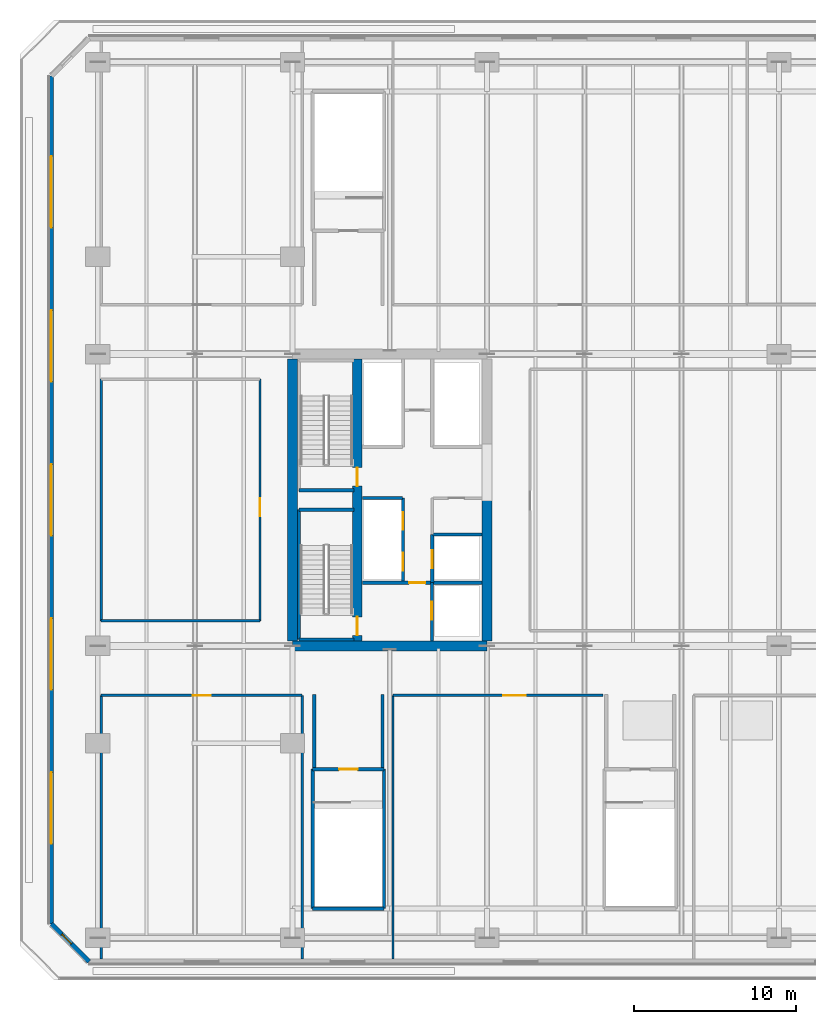
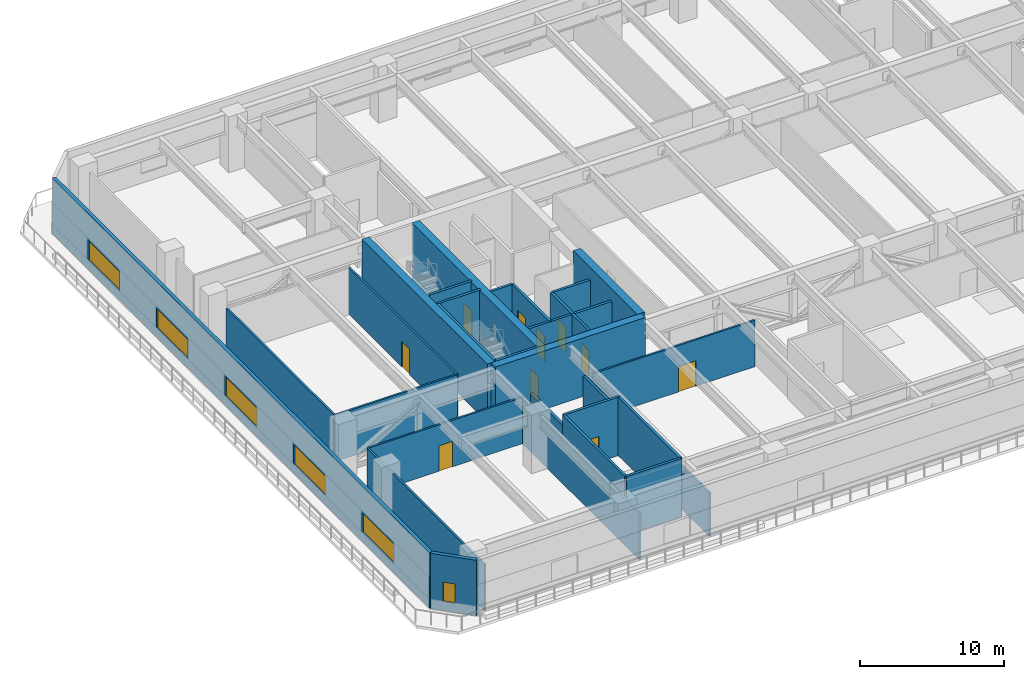
# One storey, part 9 of 25: 30 walls, 11 doors, 6 windows, 17 openings.
"""IFC4 building model written with IfcOpenShell, lengths in metres."""

from ifc_helpers import new_model, si_unit, direction, frame, frame_2d, origin, place, context, subcontext, project, spatial, rectangle, extrude, material, layer, layer_set, type_object, element, fill, save


model = new_model("IFC4")

# Units and contexts
model_context = context("Model", 3, precision=1e-05, world=origin(), true_north=direction((0.0, 1.0)))
body_context = subcontext(model_context, "Body", "Model", "MODEL_VIEW")
ifc_project = project(units=[si_unit("LENGTHUNIT", "METRE"), si_unit("AREAUNIT", "SQUARE_METRE"), si_unit("VOLUMEUNIT", "CUBIC_METRE"), si_unit("PLANEANGLEUNIT", "RADIAN"), si_unit("MASSUNIT", "GRAM", prefix="KILO")], contexts=[model_context])

# Site, building, storey
site_placement = place(None, origin())
site = spatial("IfcSite", under=ifc_project, at=site_placement, CompositionType="ELEMENT")
building_placement = place(site_placement, origin())
building = spatial("IfcBuilding", under=site, at=building_placement, Name="Tanjung Sevakor Pilgrim Tower", CompositionType="ELEMENT")
storey_placement = place(building_placement, frame((0.0, 0.0, 24.090087890625)))
storey = spatial("IfcBuildingStorey", under=building, at=storey_placement, Name="L06", CompositionType="ELEMENT", Elevation=24.090087890625)

# Walls
ifc_material_1 = material(Name="Concrete C60/75", Category="concrete")
ifc_layer_1 = layer(ifc_material_1, 0.60009765625)
ifc_layer_set_1 = layer_set([ifc_layer_1], Name="WALL-CW-600")
wall_type_1 = type_object("IfcWallType", Name="WALL-CW-600", PredefinedType="SHEAR", material=ifc_layer_set_1)
wall_1_placement = place(storey_placement, frame((24.0, 24.60009765625, 0.0), z_axis=(0.0, 0.0, 1.0), x_axis=(1.0, 0.0, 0.0)))
element("IfcWall", 1, at=wall_1_placement, inside=storey, type_object=wall_type_1, Name="L06 W Core South Shear Wall", PredefinedType="SHEAR", context=body_context, shape_type="SweptSolid", body=[
    extrude(rectangle(XDim=12.0, YDim=0.60009765625, at=frame_2d((6.0, 0.0))), origin(), (0.0, 0.0, 1.0), 4.949951171875),
])
wall_2_placement = place(storey_placement, frame((24.0, 24.89990234375, 0.0), z_axis=(0.0, 0.0, 1.0), x_axis=(0.0, 1.0, 0.0)))
element("IfcWall", 2, at=wall_2_placement, inside=storey, type_object=wall_type_1, Name="L06 W Core Outer Shear Wall", PredefinedType="SHEAR", context=body_context, shape_type="SweptSolid", body=[
    extrude(rectangle(XDim=17.400146484375, YDim=0.60009765625, at=frame_2d((8.7001953125, 0.0))), origin(), (0.0, 0.0, 1.0), 4.949951171875),
])
wall_3_placement = place(storey_placement, frame((36.0, 24.89990234375, 0.0), z_axis=(0.0, 0.0, 1.0), x_axis=(0.0, 1.0, 0.0)))
element("IfcWall", 3, at=wall_3_placement, inside=storey, type_object=wall_type_1, Name="L06 W Core Inner Shear Wall South", PredefinedType="SHEAR", context=body_context, shape_type="SweptSolid", body=[
    extrude(rectangle(XDim=8.900146484375, YDim=0.60009765625, at=frame_2d((4.4501953125, 0.0))), origin(), (0.0, 0.0, 1.0), 4.949951171875),
])

# Wall, openings, doors
wall_4_placement = place(storey_placement, frame((28.0, 24.89990234375, 0.0), z_axis=(0.0, 0.0, 1.0), x_axis=(0.0, 1.0, 0.0)))
wall_4 = element("IfcWall", 4, at=wall_4_placement, inside=storey, type_object=wall_type_1, Name="L06 W Core Stair Spine Wall", PredefinedType="SHEAR", context=body_context, shape_type="SweptSolid", body=[
    extrude(rectangle(XDim=17.400146484375, YDim=0.60009765625, at=frame_2d((8.7001953125, 0.0))), origin(), (0.0, 0.0, 1.0), 4.949951171875),
])
opening_1_placement = place(wall_4_placement, frame((0.35009765625, 0.0, 0.0)))
opening_1 = element("IfcOpeningElement", 5, at=opening_1_placement, cuts=wall_4, Name="Opening ID-ST1", PredefinedType="OPENING", context=body_context, shape_type="SweptSolid", body=[
    extrude(rectangle(XDim=1.14990234375, YDim=2.14990234375, at=frame_2d((0.574951171875, 1.074951171875))), frame((0.0, 0.31005859375, 0.0), z_axis=(0.0, -1.0, 0.0), x_axis=(1.0, 0.0, 0.0)), (0.0, 0.0, 1.0), 0.6201171875),
])
opening_2_placement = place(wall_4_placement, frame((9.550048828125, 0.0, 0.0)))
opening_2 = element("IfcOpeningElement", 6, at=opening_2_placement, cuts=wall_4, Name="Opening ID-ST1", PredefinedType="OPENING", context=body_context, shape_type="SweptSolid", body=[
    extrude(rectangle(XDim=1.14990234375, YDim=2.14990234375, at=frame_2d((0.574951171875, 1.074951171875))), frame((0.0, 0.31005859375, 0.0), z_axis=(0.0, -1.0, 0.0), x_axis=(1.0, 0.0, 0.0)), (0.0, 0.0, 1.0), 0.6201171875),
])
ifc_material_2 = material(Name="Fire-Rated Steel S355J2", Category="steel")
door_type_1 = type_object("IfcDoorType", Name="DT-FIRE-1150", OperationType="NOTDEFINED", PredefinedType="DOOR", material=ifc_material_2)
door_1_placement = place(opening_1_placement, origin())
door_1 = element("IfcDoor", 7, at=door_1_placement, inside=storey, type_object=door_type_1, Name="L06 TS-W1 Stair Fire Door", OperationType="SINGLE_SWING_RIGHT", OverallHeight=2.14990234375, OverallWidth=1.14990234375, PredefinedType="DOOR", context=body_context, shape_type="SweptSolid", body=[
    extrude(rectangle(XDim=1.14990234375, YDim=2.14990234375, at=frame_2d((0.574951171875, 1.074951171875))), frame((0.0, 0.02490234375, 0.0), z_axis=(0.0, -1.0, 0.0), x_axis=(1.0, 0.0, 0.0)), (0.0, 0.0, 1.0), 0.050048828125),
])
fill(opening_1, door_1)
door_2_placement = place(opening_2_placement, origin())
door_2 = element("IfcDoor", 8, at=door_2_placement, inside=storey, type_object=door_type_1, Name="L06 TS-W2 Stair Fire Door", OperationType="SINGLE_SWING_LEFT", OverallHeight=2.14990234375, OverallWidth=1.14990234375, PredefinedType="DOOR", context=body_context, shape_type="SweptSolid", body=[
    extrude(rectangle(XDim=1.14990234375, YDim=2.14990234375, at=frame_2d((0.574951171875, 1.074951171875))), frame((0.0, 0.02490234375, 0.0), z_axis=(0.0, -1.0, 0.0), x_axis=(1.0, 0.0, 0.0)), (0.0, 0.0, 1.0), 0.050048828125),
])
fill(opening_2, door_2)

# Wall, opening, door
ifc_material_3 = material(Name="Concrete C40/50", Category="concrete")
ifc_layer_2 = layer(ifc_material_3, 0.14990234375)
ifc_layer_set_2 = layer_set([ifc_layer_2], Name="WT-COMP-150")
wall_type_2 = type_object("IfcWallType", Name="WT-COMP-150", PredefinedType="SOLIDWALL", material=ifc_layer_set_2)
wall_5_placement = place(storey_placement, frame((30.199951171875, 21.550048828125, 0.0), z_axis=(0.0, 0.0, 1.0), x_axis=(1.0, 0.0, 0.0)))
wall_5 = element("IfcWall", 9, at=wall_5_placement, inside=storey, type_object=wall_type_2, Name="L06 Partition IW-L06-039", PredefinedType="SOLIDWALL", context=body_context, shape_type="SweptSolid", body=[
    extrude(rectangle(XDim=12.949951171875, YDim=0.14990234375, at=frame_2d((6.47509765625, 0.0))), origin(), (0.0, 0.0, 1.0), 3.929931640625),
])
opening_3_placement = place(wall_5_placement, frame((6.800048828125, 0.0, 0.0)))
opening_3 = element("IfcOpeningElement", 10, at=opening_3_placement, cuts=wall_5, Name="Opening ID-HD1", PredefinedType="OPENING", context=body_context, shape_type="SweptSolid", body=[
    extrude(rectangle(XDim=1.39990234375, YDim=2.14990234375, at=frame_2d((0.699951171875, 1.074951171875))), frame((0.0, 0.0849609375, 0.0), z_axis=(0.0, -1.0, 0.0), x_axis=(1.0, 0.0, 0.0)), (0.0, 0.0, 1.0), 0.169921875),
])
ifc_material_4 = material(Name="Hardwood Timber", Category="wood")
door_type_2 = type_object("IfcDoorType", Name="DT-INT-1400", OperationType="DOUBLE_DOOR_SINGLE_SWING", PredefinedType="DOOR", material=ifc_material_4)
door_3_placement = place(opening_3_placement, origin())
door_3 = element("IfcDoor", 11, at=door_3_placement, inside=storey, type_object=door_type_2, Name="L06 Wellness Lounge Door", OperationType="SINGLE_SWING_RIGHT", OverallHeight=2.14990234375, OverallWidth=1.39990234375, PredefinedType="DOOR", context=body_context, shape_type="SweptSolid", body=[
    extrude(rectangle(XDim=1.39990234375, YDim=2.14990234375, at=frame_2d((0.699951171875, 1.074951171875))), frame((0.0, 0.02490234375, 0.0), z_axis=(0.0, -1.0, 0.0), x_axis=(1.0, 0.0, 0.0)), (0.0, 0.0, 1.0), 0.050048828125),
])
fill(opening_3, door_3)

# Walls
wall_6_placement = place(storey_placement, frame((30.199951171875, 5.280029296875, 0.0), z_axis=(0.0, 0.0, 1.0), x_axis=(0.0, 1.0, 0.0)))
element("IfcWall", 12, at=wall_6_placement, inside=storey, type_object=wall_type_2, Name="L06 Partition IW-L06-040", PredefinedType="SOLIDWALL", context=body_context, shape_type="SweptSolid", body=[
    extrude(rectangle(XDim=16.27001953125, YDim=0.14990234375, at=frame_2d((8.135009765625, 0.0))), origin(), (0.0, 0.0, 1.0), 3.68701171875),
])
wall_7_placement = place(storey_placement, frame((12.199951171875, 26.14990234375, 0.0), z_axis=(0.0, 0.0, 1.0), x_axis=(1.0, 0.0, 0.0)))
element("IfcWall", 13, at=wall_7_placement, inside=storey, type_object=wall_type_2, Name="L06 Partition IW-L06-061", PredefinedType="SOLIDWALL", context=body_context, shape_type="SweptSolid", body=[
    extrude(rectangle(XDim=9.800048828125, YDim=0.14990234375, at=frame_2d((4.89990234375, 0.0))), origin(), (0.0, 0.0, 1.0), 3.929931640625),
])
wall_8_placement = place(storey_placement, frame((12.199951171875, 26.14990234375, 0.0), z_axis=(0.0, 0.0, 1.0), x_axis=(0.0, 1.0, 0.0)))
element("IfcWall", 14, at=wall_8_placement, inside=storey, type_object=wall_type_2, Name="L06 Partition IW-L06-063", PredefinedType="SOLIDWALL", context=body_context, shape_type="SweptSolid", body=[
    extrude(rectangle(XDim=14.900146484375, YDim=0.14990234375, at=frame_2d((7.4501953125, 0.0))), origin(), (0.0, 0.0, 1.0), 3.929931640625),
])

# Wall, opening, door
wall_9_placement = place(storey_placement, frame((22.0, 26.14990234375, 0.0), z_axis=(0.0, 0.0, 1.0), x_axis=(0.0, 1.0, 0.0)))
wall_9 = element("IfcWall", 15, at=wall_9_placement, inside=storey, type_object=wall_type_2, Name="L06 Partition IW-L06-064", PredefinedType="SOLIDWALL", context=body_context, shape_type="SweptSolid", body=[
    extrude(rectangle(XDim=14.900146484375, YDim=0.14990234375, at=frame_2d((7.4501953125, 0.0))), origin(), (0.0, 0.0, 1.0), 3.929931640625),
])
opening_4_placement = place(wall_9_placement, frame((6.449951171875, 0.0, 0.0)))
opening_4 = element("IfcOpeningElement", 16, at=opening_4_placement, cuts=wall_9, Name="Opening ID-RM2", PredefinedType="OPENING", context=body_context, shape_type="SweptSolid", body=[
    extrude(rectangle(XDim=1.10009765625, YDim=2.14990234375, at=frame_2d((0.550048828125, 1.074951171875))), frame((0.0, 0.0849609375, 0.0), z_axis=(0.0, -1.0, 0.0), x_axis=(1.0, 0.0, 0.0)), (0.0, 0.0, 1.0), 0.169921875),
])
ifc_material_5 = material(Name="Hardwood Timber", Category="wood")
door_type_3 = type_object("IfcDoorType", Name="DT-INT-1100", OperationType="NOTDEFINED", PredefinedType="DOOR", material=ifc_material_5)
door_4_placement = place(opening_4_placement, origin())
door_4 = element("IfcDoor", 17, at=door_4_placement, inside=storey, type_object=door_type_3, Name="L06 West Lounge Door", OperationType="SINGLE_SWING_RIGHT", OverallHeight=2.14990234375, OverallWidth=1.10009765625, PredefinedType="DOOR", context=body_context, shape_type="SweptSolid", body=[
    extrude(rectangle(XDim=1.10009765625, YDim=2.14990234375, at=frame_2d((0.550048828125, 1.074951171875))), frame((0.0, 0.02490234375, 0.0), z_axis=(0.0, -1.0, 0.0), x_axis=(1.0, 0.0, 0.0)), (0.0, 0.0, 1.0), 0.050048828125),
])
fill(opening_4, door_4)

wall_10_placement = place(storey_placement, frame((12.199951171875, 21.550048828125, 0.0), z_axis=(0.0, 0.0, 1.0), x_axis=(1.0, 0.0, 0.0)))
wall_10 = element("IfcWall", 18, at=wall_10_placement, inside=storey, type_object=wall_type_2, Name="L06 Partition IW-L06-069", PredefinedType="SOLIDWALL", context=body_context, shape_type="SweptSolid", body=[
    extrude(rectangle(XDim=12.400146484375, YDim=0.14990234375, at=frame_2d((6.2001953125, 0.0))), origin(), (0.0, 0.0, 1.0), 3.929931640625),
])
opening_5_placement = place(wall_10_placement, frame((5.64990234375, 0.0, 0.0)))
opening_5 = element("IfcOpeningElement", 19, at=opening_5_placement, cuts=wall_10, Name="Opening ID-RM2", PredefinedType="OPENING", context=body_context, shape_type="SweptSolid", body=[
    extrude(rectangle(XDim=1.10009765625, YDim=2.14990234375, at=frame_2d((0.550048828125, 1.074951171875))), frame((0.0, 0.0849609375, 0.0), z_axis=(0.0, -1.0, 0.0), x_axis=(1.0, 0.0, 0.0)), (0.0, 0.0, 1.0), 0.169921875),
])
door_5_placement = place(opening_5_placement, origin())
door_5 = element("IfcDoor", 20, at=door_5_placement, inside=storey, type_object=door_type_3, Name="L06 SW Library Door", OperationType="SINGLE_SWING_RIGHT", OverallHeight=2.14990234375, OverallWidth=1.10009765625, PredefinedType="DOOR", context=body_context, shape_type="SweptSolid", body=[
    extrude(rectangle(XDim=1.10009765625, YDim=2.14990234375, at=frame_2d((0.550048828125, 1.074951171875))), frame((0.0, 0.02490234375, 0.0), z_axis=(0.0, -1.0, 0.0), x_axis=(1.0, 0.0, 0.0)), (0.0, 0.0, 1.0), 0.050048828125),
])
fill(opening_5, door_5)

# Walls
for number, where, z_axis, x_axis, name in (
    (21, (12.199951171875, 5.280029296875, 0.0), (0.0, 0.0, 1.0), (0.0, 1.0, 0.0), "L06 Partition IW-L06-070"),
    (22, (24.60009765625, 5.280029296875, 0.0), (0.0, 0.0, 1.0), (0.0, 1.0, 0.0), "L06 Partition IW-L06-071"),
):
    element("IfcWall", number, at=place(storey_placement, frame(where, z_axis=z_axis, x_axis=x_axis)), inside=storey, type_object=wall_type_2, Name=name, PredefinedType="SOLIDWALL", context=body_context, shape_type="SweptSolid", body=[
        extrude(rectangle(XDim=16.27001953125, YDim=0.14990234375, at=frame_2d((8.135009765625, 0.0))), origin(), (0.0, 0.0, 1.0), 3.929931640625),
    ])

# Wall, openings, windows
ifc_material_6 = material(Name="Precast concrete C45/55", Category="concrete")
ifc_layer_3 = layer(ifc_material_6, 0.280029296875)
ifc_layer_set_3 = layer_set([ifc_layer_3], Name="WT-EW-STN2")
wall_type_3 = type_object("IfcWallType", Name="WT-EW-STN2", PredefinedType="SOLIDWALL", material=ifc_layer_set_3)
wall_11_placement = place(storey_placement, frame((9.139892578125, 59.741943359375, 0.0), z_axis=(0.0, 0.0, 1.0), x_axis=(0.0, -1.0, 0.0)))
wall_11 = element("IfcWall", 23, at=wall_11_placement, inside=storey, type_object=wall_type_3, Name="L06 MAIN Exterior Wall 7", PredefinedType="SOLIDWALL", context=body_context, shape_type="SweptSolid", body=[
    extrude(rectangle(XDim=52.283935546875, YDim=0.280029296875, at=frame_2d((26.14208984375, 0.0))), origin(), (0.0, 0.0, 1.0), 4.7099609375),
])
opening_6_placement = place(wall_11_placement, frame((23.94189453125, 0.0, 0.780029296875)))
opening_6 = element("IfcOpeningElement", 24, at=opening_6_placement, cuts=wall_11, Name="Opening WN-ENDW-1660", PredefinedType="OPENING", context=body_context, shape_type="SweptSolid", body=[
    extrude(rectangle(XDim=4.39990234375, YDim=1.659912109375, at=frame_2d((2.199951171875, 0.830078125))), frame((0.0, 0.14990234375, 0.0), z_axis=(0.0, -1.0, 0.0), x_axis=(1.0, 0.0, 0.0)), (0.0, 0.0, 1.0), 0.300048828125),
])
opening_7_placement = place(wall_11_placement, frame((4.94189453125, 0.0, 0.780029296875)))
opening_7 = element("IfcOpeningElement", 25, at=opening_7_placement, cuts=wall_11, Name="Opening WN-ENDW-1660", PredefinedType="OPENING", context=body_context, shape_type="SweptSolid", body=[
    extrude(rectangle(XDim=4.39990234375, YDim=1.659912109375, at=frame_2d((2.199951171875, 0.830078125))), frame((0.0, 0.14990234375, 0.0), z_axis=(0.0, -1.0, 0.0), x_axis=(1.0, 0.0, 0.0)), (0.0, 0.0, 1.0), 0.300048828125),
])
opening_8_placement = place(wall_11_placement, frame((14.44189453125, 0.0, 0.780029296875)))
opening_8 = element("IfcOpeningElement", 26, at=opening_8_placement, cuts=wall_11, Name="Opening WN-ENDW-1660", PredefinedType="OPENING", context=body_context, shape_type="SweptSolid", body=[
    extrude(rectangle(XDim=4.39990234375, YDim=1.659912109375, at=frame_2d((2.199951171875, 0.830078125))), frame((0.0, 0.14990234375, 0.0), z_axis=(0.0, -1.0, 0.0), x_axis=(1.0, 0.0, 0.0)), (0.0, 0.0, 1.0), 0.300048828125),
])
opening_9_placement = place(wall_11_placement, frame((33.44189453125, 0.0, 0.780029296875)))
opening_9 = element("IfcOpeningElement", 27, at=opening_9_placement, cuts=wall_11, Name="Opening WN-ENDW-1660", PredefinedType="OPENING", context=body_context, shape_type="SweptSolid", body=[
    extrude(rectangle(XDim=4.39990234375, YDim=1.659912109375, at=frame_2d((2.199951171875, 0.830078125))), frame((0.0, 0.14990234375, 0.0), z_axis=(0.0, -1.0, 0.0), x_axis=(1.0, 0.0, 0.0)), (0.0, 0.0, 1.0), 0.300048828125),
])
opening_10_placement = place(wall_11_placement, frame((42.94189453125, 0.0, 0.780029296875)))
opening_10 = element("IfcOpeningElement", 28, at=opening_10_placement, cuts=wall_11, Name="Opening WN-ENDW-1660", PredefinedType="OPENING", context=body_context, shape_type="SweptSolid", body=[
    extrude(rectangle(XDim=4.39990234375, YDim=1.659912109375, at=frame_2d((2.199951171875, 0.830078125))), frame((0.0, 0.14990234375, 0.0), z_axis=(0.0, -1.0, 0.0), x_axis=(1.0, 0.0, 0.0)), (0.0, 0.0, 1.0), 0.300048828125),
])
ifc_material_7 = material(Name="Thermally Broken Aluminium and Low-E Glass", Category="aluminium")
window_type_1 = type_object("IfcWindowType", Name="WTYP-WN-ENDW-1660", PartitioningType="DOUBLE_PANEL_VERTICAL", PredefinedType="WINDOW", material=ifc_material_7)
window_1_placement = place(opening_6_placement, origin())
window_1 = element("IfcWindow", 29, at=window_1_placement, inside=storey, type_object=window_type_1, Name="L06 Facade Window 01", OverallHeight=1.659912109375, OverallWidth=4.39990234375, PartitioningType="SINGLE_PANEL", PredefinedType="WINDOW", context=body_context, shape_type="SweptSolid", body=[
    extrude(rectangle(XDim=4.39990234375, YDim=1.659912109375, at=frame_2d((2.199951171875, 0.830078125))), frame((0.0, 0.030029296875, 0.0), z_axis=(0.0, -1.0, 0.0), x_axis=(1.0, 0.0, 0.0)), (0.0, 0.0, 1.0), 0.06005859375),
])
fill(opening_6, window_1)
window_2_placement = place(opening_7_placement, origin())
window_2 = element("IfcWindow", 30, at=window_2_placement, inside=storey, type_object=window_type_1, Name="L06 Facade Window 02", OverallHeight=1.659912109375, OverallWidth=4.39990234375, PartitioningType="SINGLE_PANEL", PredefinedType="WINDOW", context=body_context, shape_type="SweptSolid", body=[
    extrude(rectangle(XDim=4.39990234375, YDim=1.659912109375, at=frame_2d((2.199951171875, 0.830078125))), frame((0.0, 0.030029296875, 0.0), z_axis=(0.0, -1.0, 0.0), x_axis=(1.0, 0.0, 0.0)), (0.0, 0.0, 1.0), 0.06005859375),
])
fill(opening_7, window_2)
window_3_placement = place(opening_8_placement, origin())
window_3 = element("IfcWindow", 31, at=window_3_placement, inside=storey, type_object=window_type_1, Name="L06 Facade Window 03", OverallHeight=1.659912109375, OverallWidth=4.39990234375, PartitioningType="SINGLE_PANEL", PredefinedType="WINDOW", context=body_context, shape_type="SweptSolid", body=[
    extrude(rectangle(XDim=4.39990234375, YDim=1.659912109375, at=frame_2d((2.199951171875, 0.830078125))), frame((0.0, 0.030029296875, 0.0), z_axis=(0.0, -1.0, 0.0), x_axis=(1.0, 0.0, 0.0)), (0.0, 0.0, 1.0), 0.06005859375),
])
fill(opening_8, window_3)
window_4_placement = place(opening_9_placement, origin())
window_4 = element("IfcWindow", 32, at=window_4_placement, inside=storey, type_object=window_type_1, Name="L06 Facade Window 04", OverallHeight=1.659912109375, OverallWidth=4.39990234375, PartitioningType="SINGLE_PANEL", PredefinedType="WINDOW", context=body_context, shape_type="SweptSolid", body=[
    extrude(rectangle(XDim=4.39990234375, YDim=1.659912109375, at=frame_2d((2.199951171875, 0.830078125))), frame((0.0, 0.030029296875, 0.0), z_axis=(0.0, -1.0, 0.0), x_axis=(1.0, 0.0, 0.0)), (0.0, 0.0, 1.0), 0.06005859375),
])
fill(opening_9, window_4)
window_5_placement = place(opening_10_placement, origin())
window_5 = element("IfcWindow", 33, at=window_5_placement, inside=storey, type_object=window_type_1, Name="L06 Facade Window 05", OverallHeight=1.659912109375, OverallWidth=4.39990234375, PartitioningType="SINGLE_PANEL", PredefinedType="WINDOW", context=body_context, shape_type="SweptSolid", body=[
    extrude(rectangle(XDim=4.39990234375, YDim=1.659912109375, at=frame_2d((2.199951171875, 0.830078125))), frame((0.0, 0.030029296875, 0.0), z_axis=(0.0, -1.0, 0.0), x_axis=(1.0, 0.0, 0.0)), (0.0, 0.0, 1.0), 0.06005859375),
])
fill(opening_10, window_5)

# Wall, opening, window
wall_12_placement = place(storey_placement, frame((9.139892578125, 7.4580078125, 0.0), z_axis=(0.0, 0.0, 1.0), x_axis=(0.707106781187, -0.707106781187, 0.0)))
wall_12 = element("IfcWall", 34, at=wall_12_placement, inside=storey, type_object=wall_type_3, Name="L06 MAIN Exterior Wall 8", PredefinedType="SOLIDWALL", context=body_context, shape_type="SweptSolid", body=[
    extrude(rectangle(XDim=3.2783203125, YDim=0.280029296875, at=frame_2d((1.63916015625, 0.0))), origin(), (0.0, 0.0, 1.0), 4.7099609375),
])
opening_11_placement = place(wall_12_placement, frame((0.89404296875, 0.0, 0.780029296875)))
opening_11 = element("IfcOpeningElement", 35, at=opening_11_placement, cuts=wall_12, Name="Opening WN-SLM", PredefinedType="OPENING", context=body_context, shape_type="SweptSolid", body=[
    extrude(rectangle(XDim=0.85009765625, YDim=1.64990234375, at=frame_2d((0.425048828125, 0.824951171875))), frame((0.0, 0.14990234375, 0.0), z_axis=(0.0, -1.0, 0.0), x_axis=(1.0, 0.0, 0.0)), (0.0, 0.0, 1.0), 0.300048828125),
])
ifc_material_8 = material(Name="Thermally Broken Aluminium and Low-E Glass", Category="aluminium")
window_type_2 = type_object("IfcWindowType", Name="WTYP-WN-SLM", PartitioningType="SINGLE_PANEL", PredefinedType="WINDOW", material=ifc_material_8)
window_6_placement = place(opening_11_placement, origin())
window_6 = element("IfcWindow", 36, at=window_6_placement, inside=storey, type_object=window_type_2, Name="L06 Facade Window 01", OverallHeight=1.64990234375, OverallWidth=0.85009765625, PartitioningType="SINGLE_PANEL", PredefinedType="WINDOW", context=body_context, shape_type="SweptSolid", body=[
    extrude(rectangle(XDim=0.85009765625, YDim=1.64990234375, at=frame_2d((0.425048828125, 0.824951171875))), frame((0.0, 0.030029296875, 0.0), z_axis=(0.0, -1.0, 0.0), x_axis=(1.0, 0.0, 0.0)), (0.0, 0.0, 1.0), 0.06005859375),
])
fill(opening_11, window_6)

# Walls
ifc_material_9 = material(Name="Concrete C40/50", Category="concrete")
ifc_layer_4 = layer(ifc_material_9, 0.199951171875)
ifc_layer_set_4 = layer_set([ifc_layer_4], Name="WT-FIRE-200")
wall_type_4 = type_object("IfcWallType", Name="WT-FIRE-200", PredefinedType="SOLIDWALL", material=ifc_layer_set_4)
for number, where, z_axis, x_axis, name in (
    (37, (24.39990234375, 25.0, 0.0), (0.0, 0.0, 1.0), (1.0, 0.0, 0.0), "L06 TS-W1 Shaft Wall 1"),
    (38, (27.800048828125, 33.0, 0.0), (0.0, 0.0, 1.0), (-1.0, 0.0, 0.0), "L06 TS-W1 Shaft Wall 2"),
):
    element("IfcWall", number, at=place(storey_placement, frame(where, z_axis=z_axis, x_axis=x_axis)), inside=storey, type_object=wall_type_4, Name=name, PredefinedType="SOLIDWALL", context=body_context, shape_type="SweptSolid", body=[
        extrude(rectangle(XDim=3.400146484375, YDim=0.199951171875, at=frame_2d((1.7001953125, 0.0))), origin(), (0.0, 0.0, 1.0), 4.949951171875),
    ])
wall_13_placement = place(storey_placement, frame((24.39990234375, 33.0, 0.0), z_axis=(0.0, 0.0, 1.0), x_axis=(0.0, -1.0, 0.0)))
element("IfcWall", 39, at=wall_13_placement, inside=storey, type_object=wall_type_4, Name="L06 TS-W1 Shaft Wall 3", PredefinedType="SOLIDWALL", context=body_context, shape_type="SweptSolid", body=[
    extrude(rectangle(XDim=8.0, YDim=0.199951171875, at=frame_2d((4.0, 0.0))), origin(), (0.0, 0.0, 1.0), 4.949951171875),
])
wall_14_placement = place(storey_placement, frame((24.39990234375, 34.199951171875, 0.0), z_axis=(0.0, 0.0, 1.0), x_axis=(1.0, 0.0, 0.0)))
element("IfcWall", 40, at=wall_14_placement, inside=storey, type_object=wall_type_4, Name="L06 TS-W2 Shaft Wall 1", PredefinedType="SOLIDWALL", context=body_context, shape_type="SweptSolid", body=[
    extrude(rectangle(XDim=3.400146484375, YDim=0.199951171875, at=frame_2d((1.7001953125, 0.0))), origin(), (0.0, 0.0, 1.0), 4.949951171875),
])
wall_15_placement = place(storey_placement, frame((25.25, 8.39990234375, 0.0), z_axis=(0.0, 0.0, 1.0), x_axis=(1.0, 0.0, 0.0)))
element("IfcWall", 41, at=wall_15_placement, inside=storey, type_object=wall_type_4, Name="L06 PS-1 Shaft Wall 1", PredefinedType="SOLIDWALL", context=body_context, shape_type="SweptSolid", body=[
    extrude(rectangle(XDim=4.39990234375, YDim=0.199951171875, at=frame_2d((2.199951171875, 0.0))), origin(), (0.0, 0.0, 1.0), 4.949951171875),
])
wall_16_placement = place(storey_placement, frame((29.64990234375, 8.39990234375, 0.0), z_axis=(0.0, 0.0, 1.0), x_axis=(0.0, 1.0, 0.0)))
element("IfcWall", 42, at=wall_16_placement, inside=storey, type_object=wall_type_4, Name="L06 PS-1 Shaft Wall 2", PredefinedType="SOLIDWALL", context=body_context, shape_type="SweptSolid", body=[
    extrude(rectangle(XDim=8.60009765625, YDim=0.199951171875, at=frame_2d((4.300048828125, 0.0))), origin(), (0.0, 0.0, 1.0), 4.949951171875),
])

# Wall, opening, door
wall_17_placement = place(storey_placement, frame((29.64990234375, 17.0, 0.0), z_axis=(0.0, 0.0, 1.0), x_axis=(-1.0, 0.0, 0.0)))
wall_17 = element("IfcWall", 43, at=wall_17_placement, inside=storey, type_object=wall_type_4, Name="L06 PS-1 Shaft Wall 3", PredefinedType="SOLIDWALL", context=body_context, shape_type="SweptSolid", body=[
    extrude(rectangle(XDim=4.39990234375, YDim=0.199951171875, at=frame_2d((2.199951171875, 0.0))), origin(), (0.0, 0.0, 1.0), 4.949951171875),
])
opening_12_placement = place(wall_17_placement, frame((1.625, 0.0, 0.0)))
opening_12 = element("IfcOpeningElement", 44, at=opening_12_placement, cuts=wall_17, Name="Opening ID-ST1", PredefinedType="OPENING", context=body_context, shape_type="SweptSolid", body=[
    extrude(rectangle(XDim=1.14990234375, YDim=2.14990234375, at=frame_2d((0.574951171875, 1.074951171875))), frame((0.0, 0.10986328125, 0.0), z_axis=(0.0, -1.0, 0.0), x_axis=(1.0, 0.0, 0.0)), (0.0, 0.0, 1.0), 0.219970703125),
])
door_6_placement = place(opening_12_placement, origin())
door_6 = element("IfcDoor", 45, at=door_6_placement, inside=storey, type_object=door_type_1, Name="L06 PS-1 Stair Entry Fire Door", OperationType="SINGLE_SWING_RIGHT", OverallHeight=2.14990234375, OverallWidth=1.14990234375, PredefinedType="DOOR", context=body_context, shape_type="SweptSolid", body=[
    extrude(rectangle(XDim=1.14990234375, YDim=2.14990234375, at=frame_2d((0.574951171875, 1.074951171875))), frame((0.0, 0.02490234375, 0.0), z_axis=(0.0, -1.0, 0.0), x_axis=(1.0, 0.0, 0.0)), (0.0, 0.0, 1.0), 0.050048828125),
])
fill(opening_12, door_6)

# Wall
wall_18_placement = place(storey_placement, frame((25.25, 17.0, 0.0), z_axis=(0.0, 0.0, 1.0), x_axis=(0.0, -1.0, 0.0)))
element("IfcWall", 46, at=wall_18_placement, inside=storey, type_object=wall_type_4, Name="L06 PS-1 Shaft Wall 4", PredefinedType="SOLIDWALL", context=body_context, shape_type="SweptSolid", body=[
    extrude(rectangle(XDim=8.60009765625, YDim=0.199951171875, at=frame_2d((4.300048828125, 0.0))), origin(), (0.0, 0.0, 1.0), 4.949951171875),
])

# Wall, opening, door
ifc_material_10 = material(Name="Concrete C40/50", Category="concrete")
ifc_layer_5 = layer(ifc_material_10, 0.199951171875)
ifc_layer_set_5 = layer_set([ifc_layer_5], Name="WT-FPRT-200")
wall_type_5 = type_object("IfcWallType", Name="WT-FPRT-200", PredefinedType="SOLIDWALL", material=ifc_layer_set_5)
wall_19_placement = place(storey_placement, frame((32.60009765625, 24.919921875, 0.0), z_axis=(0.0, 0.0, 1.0), x_axis=(0.0, 1.0, 0.0)))
wall_19 = element("IfcWall", 47, at=wall_19_placement, inside=storey, type_object=wall_type_5, Name="L06 Partition IW-L06-001", PredefinedType="SOLIDWALL", context=body_context, shape_type="SweptSolid", body=[
    extrude(rectangle(XDim=3.580078125, YDim=0.199951171875, at=frame_2d((1.7900390625, 0.0))), origin(), (0.0, 0.0, 1.0), 3.929931640625),
])
opening_13_placement = place(wall_19_placement, frame((1.300048828125, 0.0, 0.0)))
opening_13 = element("IfcOpeningElement", 48, at=opening_13_placement, cuts=wall_19, Name="Opening LD-1100", PredefinedType="OPENING", context=body_context, shape_type="SweptSolid", body=[
    extrude(rectangle(XDim=1.10009765625, YDim=2.199951171875, at=frame_2d((0.550048828125, 1.10009765625))), frame((0.0, 0.10986328125, 0.0), z_axis=(0.0, -1.0, 0.0), x_axis=(1.0, 0.0, 0.0)), (0.0, 0.0, 1.0), 0.219970703125),
])
ifc_material_11 = material(Name="Brushed Stainless Steel S355J2", Category="steel")
door_type_4 = type_object("IfcDoorType", Name="DT-LIFT-1100", OperationType="SLIDING_TO_LEFT", PredefinedType="DOOR", material=ifc_material_11)
door_7_placement = place(opening_13_placement, origin())
door_7 = element("IfcDoor", 49, at=door_7_placement, inside=storey, type_object=door_type_4, Name="LD-FL-W", OperationType="SLIDING_TO_LEFT", OverallHeight=2.199951171875, OverallWidth=1.10009765625, PredefinedType="DOOR", context=body_context, shape_type="SweptSolid", body=[
    extrude(rectangle(XDim=1.10009765625, YDim=2.199951171875, at=frame_2d((0.550048828125, 1.10009765625))), frame((0.0, 0.02490234375, 0.0), z_axis=(0.0, -1.0, 0.0), x_axis=(1.0, 0.0, 0.0)), (0.0, 0.0, 1.0), 0.050048828125),
])
fill(opening_13, door_7)

wall_20_placement = place(storey_placement, frame((28.320068359375, 28.5, 0.0), z_axis=(0.0, 0.0, 1.0), x_axis=(1.0, 0.0, 0.0)))
wall_20 = element("IfcWall", 50, at=wall_20_placement, inside=storey, type_object=wall_type_5, Name="L06 Partition IW-L06-002", PredefinedType="SOLIDWALL", context=body_context, shape_type="SweptSolid", body=[
    extrude(rectangle(XDim=7.35986328125, YDim=0.199951171875, at=frame_2d((3.679931640625, 0.0))), origin(), (0.0, 0.0, 1.0), 3.929931640625),
])
opening_14_placement = place(wall_20_placement, frame((2.8798828125, 0.0, 0.0)))
opening_14 = element("IfcOpeningElement", 51, at=opening_14_placement, cuts=wall_20, Name="Opening ID-FD1", PredefinedType="OPENING", context=body_context, shape_type="SweptSolid", body=[
    extrude(rectangle(XDim=1.0, YDim=2.14990234375, at=frame_2d((0.5, 1.074951171875))), frame((0.0, 0.10986328125, 0.0), z_axis=(0.0, -1.0, 0.0), x_axis=(1.0, 0.0, 0.0)), (0.0, 0.0, 1.0), 0.219970703125),
])
ifc_material_12 = material(Name="Fire-Rated Steel S355J2", Category="steel")
door_type_5 = type_object("IfcDoorType", Name="DT-FIRE-1000", OperationType="NOTDEFINED", PredefinedType="DOOR", material=ifc_material_12)
door_8_placement = place(opening_14_placement, origin())
door_8 = element("IfcDoor", 52, at=door_8_placement, inside=storey, type_object=door_type_5, Name="Fire Lobby Door W", OperationType="SINGLE_SWING_LEFT", OverallHeight=2.14990234375, OverallWidth=1.0, PredefinedType="DOOR", context=body_context, shape_type="SweptSolid", body=[
    extrude(rectangle(XDim=1.0, YDim=2.14990234375, at=frame_2d((0.5, 1.074951171875))), frame((0.0, 0.02490234375, 0.0), z_axis=(0.0, -1.0, 0.0), x_axis=(1.0, 0.0, 0.0)), (0.0, 0.0, 1.0), 0.050048828125),
])
fill(opening_14, door_8)

# Wall
wall_21_placement = place(storey_placement, frame((28.320068359375, 33.719970703125, 0.0), z_axis=(0.0, 0.0, 1.0), x_axis=(1.0, 0.0, 0.0)))
element("IfcWall", 53, at=wall_21_placement, inside=storey, type_object=wall_type_5, Name="L06 Partition IW-L06-004", PredefinedType="SOLIDWALL", context=body_context, shape_type="SweptSolid", body=[
    extrude(rectangle(XDim=2.47998046875, YDim=0.199951171875, at=frame_2d((1.239990234375, 0.0))), origin(), (0.0, 0.0, 1.0), 3.929931640625),
])

# Wall, openings, doors
wall_22_placement = place(storey_placement, frame((30.820068359375, 28.5, 0.0), z_axis=(0.0, 0.0, 1.0), x_axis=(0.0, 1.0, 0.0)))
wall_22 = element("IfcWall", 54, at=wall_22_placement, inside=storey, type_object=wall_type_5, Name="L06 Partition IW-L06-005", PredefinedType="SOLIDWALL", context=body_context, shape_type="SweptSolid", body=[
    extrude(rectangle(XDim=5.219970703125, YDim=0.199951171875, at=frame_2d((2.60986328125, 0.0))), origin(), (0.0, 0.0, 1.0), 3.929931640625),
])
opening_15_placement = place(wall_22_placement, frame((0.75, 0.0, 0.0)))
opening_15 = element("IfcOpeningElement", 55, at=opening_15_placement, cuts=wall_22, Name="Opening LD-1100", PredefinedType="OPENING", context=body_context, shape_type="SweptSolid", body=[
    extrude(rectangle(XDim=1.10009765625, YDim=2.199951171875, at=frame_2d((0.550048828125, 1.10009765625))), frame((0.0, 0.10986328125, 0.0), z_axis=(0.0, -1.0, 0.0), x_axis=(1.0, 0.0, 0.0)), (0.0, 0.0, 1.0), 0.219970703125),
])
opening_16_placement = place(wall_22_placement, frame((3.25, 0.0, 0.0)))
opening_16 = element("IfcOpeningElement", 56, at=opening_16_placement, cuts=wall_22, Name="Opening LD-1100", PredefinedType="OPENING", context=body_context, shape_type="SweptSolid", body=[
    extrude(rectangle(XDim=1.10009765625, YDim=2.199951171875, at=frame_2d((0.550048828125, 1.10009765625))), frame((0.0, 0.10986328125, 0.0), z_axis=(0.0, -1.0, 0.0), x_axis=(1.0, 0.0, 0.0)), (0.0, 0.0, 1.0), 0.219970703125),
])
door_9_placement = place(opening_15_placement, origin())
door_9 = element("IfcDoor", 57, at=door_9_placement, inside=storey, type_object=door_type_4, Name="LD-PLL1-W", OperationType="SLIDING_TO_LEFT", OverallHeight=2.199951171875, OverallWidth=1.10009765625, PredefinedType="DOOR", context=body_context, shape_type="SweptSolid", body=[
    extrude(rectangle(XDim=1.10009765625, YDim=2.199951171875, at=frame_2d((0.550048828125, 1.10009765625))), frame((0.0, 0.02490234375, 0.0), z_axis=(0.0, -1.0, 0.0), x_axis=(1.0, 0.0, 0.0)), (0.0, 0.0, 1.0), 0.050048828125),
])
fill(opening_15, door_9)
door_10_placement = place(opening_16_placement, origin())
door_10 = element("IfcDoor", 58, at=door_10_placement, inside=storey, type_object=door_type_4, Name="LD-PLL2-W", OperationType="SLIDING_TO_RIGHT", OverallHeight=2.199951171875, OverallWidth=1.10009765625, PredefinedType="DOOR", context=body_context, shape_type="SweptSolid", body=[
    extrude(rectangle(XDim=1.10009765625, YDim=2.199951171875, at=frame_2d((0.550048828125, 1.10009765625))), frame((0.0, 0.02490234375, 0.0), z_axis=(0.0, -1.0, 0.0), x_axis=(1.0, 0.0, 0.0)), (0.0, 0.0, 1.0), 0.050048828125),
])
fill(opening_16, door_10)

# Wall
wall_23_placement = place(storey_placement, frame((32.679931640625, 31.47998046875, 0.0), z_axis=(0.0, 0.0, 1.0), x_axis=(1.0, 0.0, 0.0)))
element("IfcWall", 59, at=wall_23_placement, inside=storey, type_object=wall_type_5, Name="L06 Partition IW-L06-006", PredefinedType="SOLIDWALL", context=body_context, shape_type="SweptSolid", body=[
    extrude(rectangle(XDim=3.0, YDim=0.199951171875, at=frame_2d((1.5, 0.0))), origin(), (0.0, 0.0, 1.0), 3.929931640625),
])

# Wall, opening, door
wall_24_placement = place(storey_placement, frame((32.6201171875, 28.5, 0.0), z_axis=(0.0, 0.0, 1.0), x_axis=(0.0, 1.0, 0.0)))
wall_24 = element("IfcWall", 60, at=wall_24_placement, inside=storey, type_object=wall_type_5, Name="L06 Partition IW-L06-007", PredefinedType="SOLIDWALL", context=body_context, shape_type="SweptSolid", body=[
    extrude(rectangle(XDim=2.97998046875, YDim=0.199951171875, at=frame_2d((1.489990234375, 0.0))), origin(), (0.0, 0.0, 1.0), 3.929931640625),
])
opening_17_placement = place(wall_24_placement, frame((0.89990234375, 0.0, 0.0)))
opening_17 = element("IfcOpeningElement", 61, at=opening_17_placement, cuts=wall_24, Name="Opening LD-1100", PredefinedType="OPENING", context=body_context, shape_type="SweptSolid", body=[
    extrude(rectangle(XDim=1.10009765625, YDim=2.199951171875, at=frame_2d((0.550048828125, 1.10009765625))), frame((0.0, 0.10986328125, 0.0), z_axis=(0.0, -1.0, 0.0), x_axis=(1.0, 0.0, 0.0)), (0.0, 0.0, 1.0), 0.219970703125),
])
door_11_placement = place(opening_17_placement, origin())
door_11 = element("IfcDoor", 62, at=door_11_placement, inside=storey, type_object=door_type_4, Name="LD-SLP-W", OperationType="SLIDING_TO_LEFT", OverallHeight=2.199951171875, OverallWidth=1.10009765625, PredefinedType="DOOR", context=body_context, shape_type="SweptSolid", body=[
    extrude(rectangle(XDim=1.10009765625, YDim=2.199951171875, at=frame_2d((0.550048828125, 1.10009765625))), frame((0.0, 0.02490234375, 0.0), z_axis=(0.0, -1.0, 0.0), x_axis=(1.0, 0.0, 0.0)), (0.0, 0.0, 1.0), 0.050048828125),
])
fill(opening_17, door_11)

# Walls
for number, where, z_axis, x_axis, name in (
    (63, (25.35009765625, 17.0, 0.0), (0.0, 0.0, 1.0), (0.0, 1.0, 0.0), "L06 Partition IW-L06-027"),
    (64, (29.550048828125, 17.0, 0.0), (0.0, 0.0, 1.0), (0.0, 1.0, 0.0), "L06 Partition IW-L06-028"),
):
    element("IfcWall", number, at=place(storey_placement, frame(where, z_axis=z_axis, x_axis=x_axis)), inside=storey, type_object=wall_type_5, Name=name, PredefinedType="SOLIDWALL", context=body_context, shape_type="SweptSolid", body=[
        extrude(rectangle(XDim=4.60009765625, YDim=0.199951171875, at=frame_2d((2.300048828125, 0.0))), origin(), (0.0, 0.0, 1.0), 3.929931640625),
    ])

save(model, "model.ifc")
